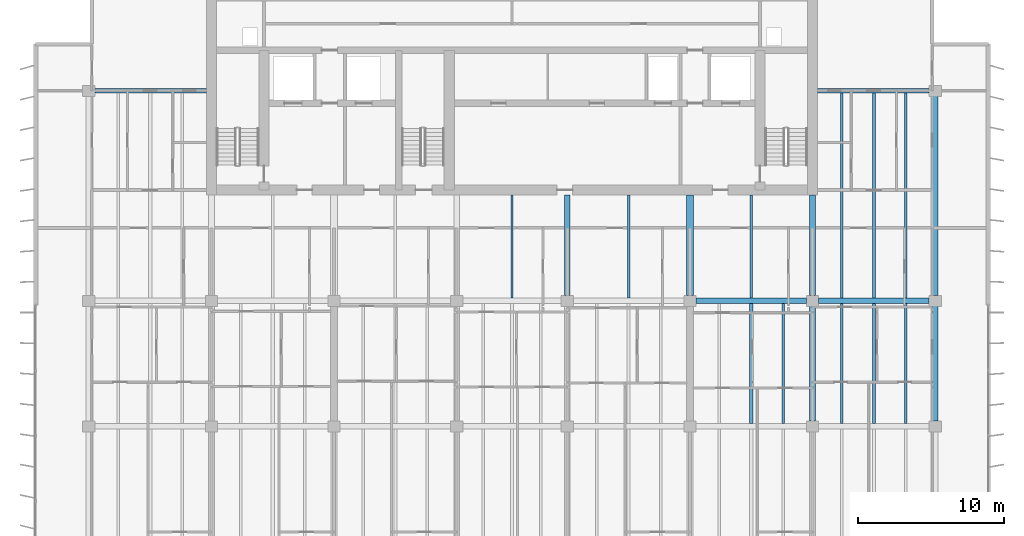
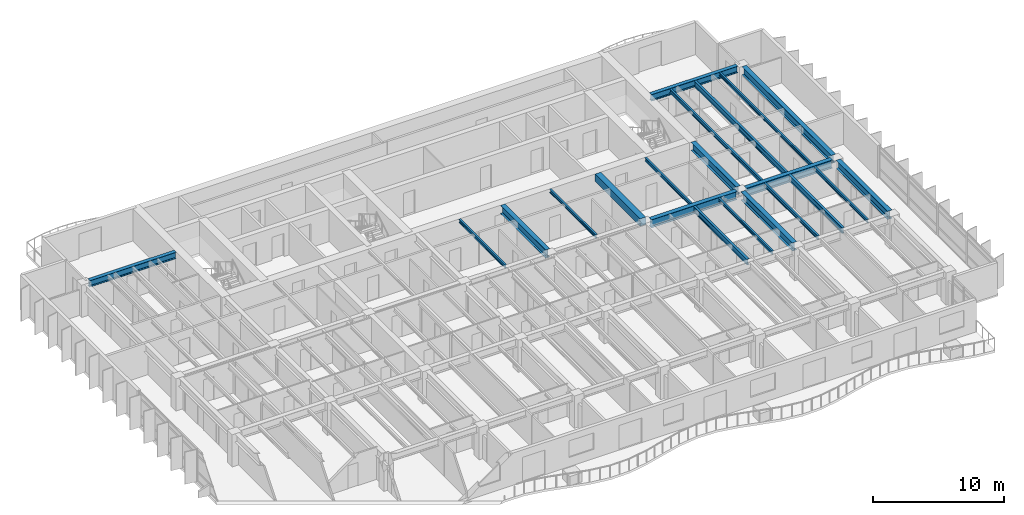
# One storey, part 5 of 19: 21 beams.
"""IFC4 building model written with IfcOpenShell, lengths in metres."""

from ifc_helpers import new_model, si_unit, direction, frame, origin, origin_2d, place, context, subcontext, project, spatial, rectangle, i_section, extrude, material, material_profile, profile_set, type_object, element, save


model = new_model("IFC4")

# Units and contexts
model_context = context("Model", 3, precision=1e-05, world=origin(), true_north=direction((0.0, 1.0)))
body_context = subcontext(model_context, "Body", "Model", "MODEL_VIEW")
ifc_project = project(units=[si_unit("LENGTHUNIT", "METRE"), si_unit("AREAUNIT", "SQUARE_METRE"), si_unit("VOLUMEUNIT", "CUBIC_METRE"), si_unit("PLANEANGLEUNIT", "RADIAN"), si_unit("MASSUNIT", "GRAM", prefix="KILO")], contexts=[model_context])

# Site, building, storey
site_placement = place(None, origin())
site = spatial("IfcSite", under=ifc_project, at=site_placement, CompositionType="ELEMENT")
building_placement = place(site_placement, origin())
building = spatial("IfcBuilding", under=site, at=building_placement, Name="Caelmar Bay Residences", CompositionType="ELEMENT")
storey_placement = place(building_placement, frame((0.0, 0.0, 218.10009765625)))
storey = spatial("IfcBuildingStorey", under=building, at=storey_placement, Name="L61", CompositionType="ELEMENT", Elevation=218.10009765625)

# Beams
ifc_material_1 = material(Name="Steel ASTM A992 Grade 50", Category="steel")
ifc_material_profile_1 = material_profile(ifc_material_1, i_section(OverallWidth=0.381103515625, OverallDepth=0.77197265625, WebThickness=0.0166015625, FlangeThickness=0.027099609375, FilletRadius=0.0166015625, at=origin_2d()), Name="W30X173")
ifc_profile_set_1 = profile_set([ifc_material_profile_1], Name="Steel ASTM A992 Grade 50")
beam_type_1 = type_object("IfcBeamType", Name="BM-GRD-W30X173", PredefinedType="BEAM", material=ifc_profile_set_1)
for number, where, z_axis, x_axis, name in (
    (1, (51.514892578125, 29.39990234375, 2.614013671875), (1.0, 0.0, 0.0), (0.0, 1.0, 0.0), "L61 East-West Girder Y=29.40 (51.1-59.5)"),
    (2, (59.9150390625, 29.39990234375, 2.614013671875), (1.0, 0.0, 0.0), (0.0, 1.0, 0.0), "L61 East-West Girder Y=29.40 (59.5-67.9)"),
):
    element("IfcBeam", number, at=place(storey_placement, frame(where, z_axis=z_axis, x_axis=x_axis)), inside=storey, type_object=beam_type_1, Name=name, PredefinedType="BEAM", context=body_context, shape_type="SweptSolid", body=[
        extrude(i_section(OverallWidth=0.381103515625, OverallDepth=0.77197265625, WebThickness=0.0166015625, FlangeThickness=0.027099609375, FilletRadius=0.0166015625, at=origin_2d()), origin(), (0.0, 0.0, 1.0), 7.570068359375),
    ])
for number, where, z_axis, x_axis, name in (
    (3, (42.699951171875, 29.764892578125, 2.614013671875), (0.0, 1.0, 0.0), (-1.0, 0.0, 0.0), "L61 Core Tie Girder X=42.70"),
    (4, (59.5, 29.764892578125, 2.614013671875), (0.0, 1.0, 0.0), (-1.0, 0.0, 0.0), "L61 Core Tie Girder X=59.50"),
):
    element("IfcBeam", number, at=place(storey_placement, frame(where, z_axis=z_axis, x_axis=x_axis)), inside=storey, type_object=beam_type_1, Name=name, PredefinedType="BEAM", context=body_context, shape_type="SweptSolid", body=[
        extrude(i_section(OverallWidth=0.381103515625, OverallDepth=0.77197265625, WebThickness=0.0166015625, FlangeThickness=0.027099609375, FilletRadius=0.0166015625, at=origin_2d()), origin(), (0.0, 0.0, 1.0), 6.885009765625),
    ])
for number, where, z_axis, x_axis, name in (
    (5, (59.5, 21.1650390625, 2.614013671875), (0.0, 1.0, 0.0), (-1.0, 0.0, 0.0), "L61 North-South Girder X=59.50 (20.8-29.4)"),
    (6, (67.89990234375, 21.1650390625, 2.614013671875), (0.0, 1.0, 0.0), (-1.0, 0.0, 0.0), "L61 North-South Girder X=67.90 (20.8-29.4)"),
):
    element("IfcBeam", number, at=place(storey_placement, frame(where, z_axis=z_axis, x_axis=x_axis)), inside=storey, type_object=beam_type_1, Name=name, PredefinedType="BEAM", context=body_context, shape_type="SweptSolid", body=[
        extrude(i_section(OverallWidth=0.381103515625, OverallDepth=0.77197265625, WebThickness=0.0166015625, FlangeThickness=0.027099609375, FilletRadius=0.0166015625, at=origin_2d()), origin(), (0.0, 0.0, 1.0), 7.869873046875),
    ])
beam_1_placement = place(storey_placement, frame((67.89990234375, 29.764892578125, 2.614013671875), z_axis=(0.0, 1.0, 0.0), x_axis=(-1.0, 0.0, 0.0)))
element("IfcBeam", 7, at=beam_1_placement, inside=storey, type_object=beam_type_1, Name="L61 North-South Girder X=67.90 (29.4-43.8)", PredefinedType="BEAM", context=body_context, shape_type="SweptSolid", body=[
    extrude(i_section(OverallWidth=0.381103515625, OverallDepth=0.77197265625, WebThickness=0.0166015625, FlangeThickness=0.027099609375, FilletRadius=0.0166015625, at=origin_2d()), origin(), (0.0, 0.0, 1.0), 13.670166015625),
])
ifc_material_profile_2 = material_profile(ifc_material_1, i_section(OverallWidth=0.1650390625, OverallDepth=0.31005859375, WebThickness=0.005859375, FlangeThickness=0.009765625, FilletRadius=0.007568359375, at=origin_2d()), Name="W12X26")
ifc_profile_set_2 = profile_set([ifc_material_profile_2], Name="Steel ASTM A992 Grade 50")
beam_type_2 = type_object("IfcBeamType", Name="BM-JST-W12X26", PredefinedType="JOIST", material=ifc_profile_set_2)
for number, where, z_axis, x_axis, name in (
    (8, (57.48388671875, 20.990478515625, 2.844970703125), (0.0, 1.0, 0.0), (-1.0, 0.0, 0.0), "L61 Composite Floor Joist 39"),
    (9, (65.884033203125, 20.990478515625, 2.844970703125), (0.0, 1.0, 0.0), (-1.0, 0.0, 0.0), "L61 Composite Floor Joist 42"),
):
    element("IfcBeam", number, at=place(storey_placement, frame(where, z_axis=z_axis, x_axis=x_axis)), inside=storey, type_object=beam_type_2, Name=name, PredefinedType="JOIST", context=body_context, shape_type="SweptSolid", body=[
        extrude(i_section(OverallWidth=0.1650390625, OverallDepth=0.31005859375, WebThickness=0.005859375, FlangeThickness=0.009765625, FilletRadius=0.007568359375, at=origin_2d()), origin(), (0.0, 0.0, 1.0), 8.218994140625),
    ])
for number, where, z_axis, x_axis, name in (
    (10, (38.89990234375, 29.590576171875, 2.844970703125), (0.0, 1.0, 0.0), (-1.0, 0.0, 0.0), "L61 Core-Band Composite Joist 45"),
    (11, (46.89990234375, 29.590576171875, 2.844970703125), (0.0, 1.0, 0.0), (-1.0, 0.0, 0.0), "L61 Core-Band Composite Joist 46"),
    (12, (55.300048828125, 29.590576171875, 2.844970703125), (0.0, 1.0, 0.0), (-1.0, 0.0, 0.0), "L61 Core-Band Composite Joist 47"),
):
    element("IfcBeam", number, at=place(storey_placement, frame(where, z_axis=z_axis, x_axis=x_axis)), inside=storey, type_object=beam_type_2, Name=name, PredefinedType="JOIST", context=body_context, shape_type="SweptSolid", body=[
        extrude(i_section(OverallWidth=0.1650390625, OverallDepth=0.31005859375, WebThickness=0.005859375, FlangeThickness=0.009765625, FilletRadius=0.007568359375, at=origin_2d()), origin(), (0.0, 0.0, 1.0), 7.059326171875),
    ])
beam_2_placement = place(storey_placement, frame((65.884033203125, 29.590576171875, 2.844970703125), z_axis=(0.0, 1.0, 0.0), x_axis=(-1.0, 0.0, 0.0)))
element("IfcBeam", 13, at=beam_2_placement, inside=storey, type_object=beam_type_2, Name="L61 Composite Floor Joist 53", PredefinedType="JOIST", context=body_context, shape_type="SweptSolid", body=[
    extrude(i_section(OverallWidth=0.1650390625, OverallDepth=0.31005859375, WebThickness=0.005859375, FlangeThickness=0.009765625, FilletRadius=0.007568359375, at=origin_2d()), origin(), (0.0, 0.0, 1.0), 14.046875),
])
ifc_material_profile_3 = material_profile(ifc_material_1, i_section(OverallWidth=0.1708984375, OverallDepth=0.35595703125, WebThickness=0.007080078125, FlangeThickness=0.01171875, FilletRadius=0.007568359375, at=origin_2d()), Name="W14X34")
ifc_profile_set_3 = profile_set([ifc_material_profile_3], Name="Steel ASTM A992 Grade 50")
beam_type_3 = type_object("IfcBeamType", Name="BM-JST-W14X34", PredefinedType="JOIST", material=ifc_profile_set_3)
beam_3_placement = place(storey_placement, frame((61.51611328125, 20.990478515625, 2.822021484375), z_axis=(0.0, 1.0, 0.0), x_axis=(-1.0, 0.0, 0.0)))
element("IfcBeam", 14, at=beam_3_placement, inside=storey, type_object=beam_type_3, Name="L61 Composite Floor Joist 40", PredefinedType="JOIST", context=body_context, shape_type="SweptSolid", body=[
    extrude(i_section(OverallWidth=0.1708984375, OverallDepth=0.35595703125, WebThickness=0.007080078125, FlangeThickness=0.01171875, FilletRadius=0.007568359375, at=origin_2d()), origin(), (0.0, 0.0, 1.0), 8.218994140625),
])
beam_4_placement = place(storey_placement, frame((61.51611328125, 29.590576171875, 2.822021484375), z_axis=(0.0, 1.0, 0.0), x_axis=(-1.0, 0.0, 0.0)))
element("IfcBeam", 15, at=beam_4_placement, inside=storey, type_object=beam_type_3, Name="L61 Composite Floor Joist 51", PredefinedType="JOIST", context=body_context, shape_type="SweptSolid", body=[
    extrude(i_section(OverallWidth=0.1708984375, OverallDepth=0.35595703125, WebThickness=0.007080078125, FlangeThickness=0.01171875, FilletRadius=0.007568359375, at=origin_2d()), origin(), (0.0, 0.0, 1.0), 14.046875),
])
ifc_material_profile_4 = material_profile(ifc_material_1, i_section(OverallWidth=0.2099609375, OverallDepth=0.535888671875, WebThickness=0.010986328125, FlangeThickness=0.017333984375, FilletRadius=0.0126953125, at=origin_2d()), Name="W21X68")
ifc_profile_set_4 = profile_set([ifc_material_profile_4], Name="Steel ASTM A992 Grade 50")
beam_type_4 = type_object("IfcBeamType", Name="BM-JST-W21X68", PredefinedType="JOIST", material=ifc_profile_set_4)
for number, where, z_axis, x_axis, name in (
    (16, (55.300048828125, 20.990478515625, 2.73193359375), (0.0, 1.0, 0.0), (-1.0, 0.0, 0.0), "L61 Composite Floor Joist 38"),
    (17, (63.699951171875, 20.990478515625, 2.73193359375), (0.0, 1.0, 0.0), (-1.0, 0.0, 0.0), "L61 Composite Floor Joist 41"),
):
    element("IfcBeam", number, at=place(storey_placement, frame(where, z_axis=z_axis, x_axis=x_axis)), inside=storey, type_object=beam_type_4, Name=name, PredefinedType="JOIST", context=body_context, shape_type="SweptSolid", body=[
        extrude(i_section(OverallWidth=0.2099609375, OverallDepth=0.535888671875, WebThickness=0.010986328125, FlangeThickness=0.017333984375, FilletRadius=0.0126953125, at=origin_2d()), origin(), (0.0, 0.0, 1.0), 8.218994140625),
    ])
beam_5_placement = place(storey_placement, frame((63.699951171875, 29.590576171875, 2.73193359375), z_axis=(0.0, 1.0, 0.0), x_axis=(-1.0, 0.0, 0.0)))
element("IfcBeam", 18, at=beam_5_placement, inside=storey, type_object=beam_type_4, Name="L61 Composite Floor Joist 52", PredefinedType="JOIST", context=body_context, shape_type="SweptSolid", body=[
    extrude(i_section(OverallWidth=0.2099609375, OverallDepth=0.535888671875, WebThickness=0.010986328125, FlangeThickness=0.017333984375, FilletRadius=0.0126953125, at=origin_2d()), origin(), (0.0, 0.0, 1.0), 14.046875),
])
ifc_material_2 = material(Name="Concrete f'c 55 MPa (8,000 psi)", Category="concrete")
ifc_material_profile_5 = material_profile(ifc_material_2, rectangle(XDim=0.5, YDim=0.699951171875, at=origin_2d()), Name="RC-BM-500X700")
ifc_profile_set_5 = profile_set([ifc_material_profile_5], Name="Concrete f'c 55 MPa (8,000 psi)")
beam_type_5 = type_object("IfcBeamType", Name="BM-RC-500X700", PredefinedType="LINTEL", material=ifc_profile_set_5)
beam_6_placement = place(storey_placement, frame((51.10009765625, 29.764892578125, 2.64990234375), z_axis=(0.0, 1.0, 0.0), x_axis=(-1.0, 0.0, 0.0)))
element("IfcBeam", 19, at=beam_6_placement, inside=storey, type_object=beam_type_5, Name="L61 Shear-Wall Corridor Coupling Lintel E8", PredefinedType="LINTEL", context=body_context, shape_type="SweptSolid", body=[
    extrude(rectangle(XDim=0.5, YDim=0.699951171875, at=origin_2d()), origin(), (0.0, 0.0, 1.0), 6.885009765625),
])
ifc_material_profile_6 = material_profile(ifc_material_1, i_section(OverallWidth=0.324951171875, OverallDepth=0.616943359375, WebThickness=0.013916015625, FlangeThickness=0.021484375, FilletRadius=0.0126953125, at=origin_2d()), Name="W24X117")
ifc_profile_set_6 = profile_set([ifc_material_profile_6], Name="Steel ASTM A992 Grade 50")
beam_type_6 = type_object("IfcBeamType", Name="BM-SPN-W24X117", PredefinedType="SPANDREL", material=ifc_profile_set_6)
for number, where, z_axis, x_axis, name in (
    (20, (10.31494140625, 43.800048828125, 2.69140625), (1.0, 0.0, 0.0), (0.0, 1.0, 0.0), "L61 North-West Wing Core Tie Girder"),
    (21, (59.85009765625, 43.800048828125, 2.69140625), (1.0, 0.0, 0.0), (0.0, 1.0, 0.0), "L61 North-East Wing Core Tie Girder"),
):
    element("IfcBeam", number, at=place(storey_placement, frame(where, z_axis=z_axis, x_axis=x_axis)), inside=storey, type_object=beam_type_6, Name=name, PredefinedType="SPANDREL", context=body_context, shape_type="SweptSolid", body=[
        extrude(i_section(OverallWidth=0.324951171875, OverallDepth=0.616943359375, WebThickness=0.013916015625, FlangeThickness=0.021484375, FilletRadius=0.0126953125, at=origin_2d()), origin(), (0.0, 0.0, 1.0), 7.635009765625),
    ])

save(model, "model.ifc")
